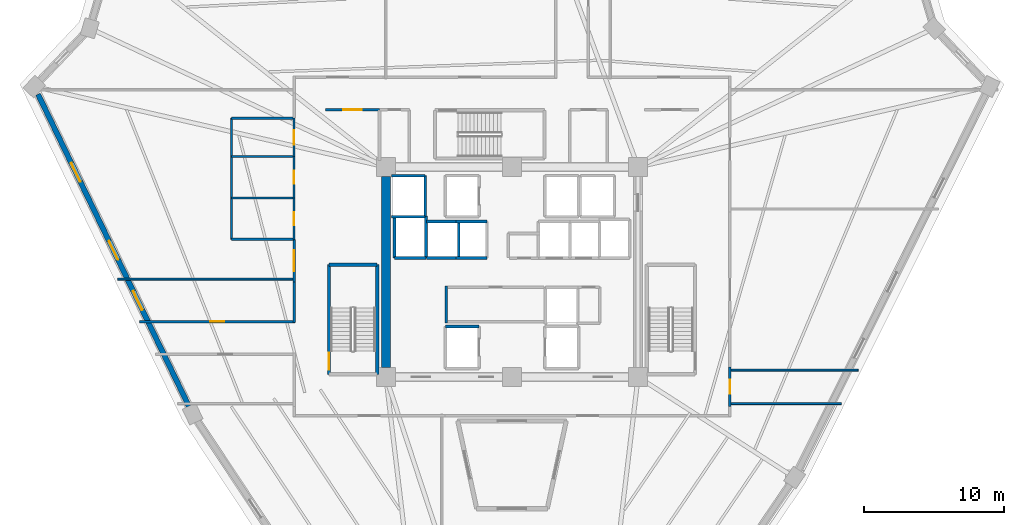
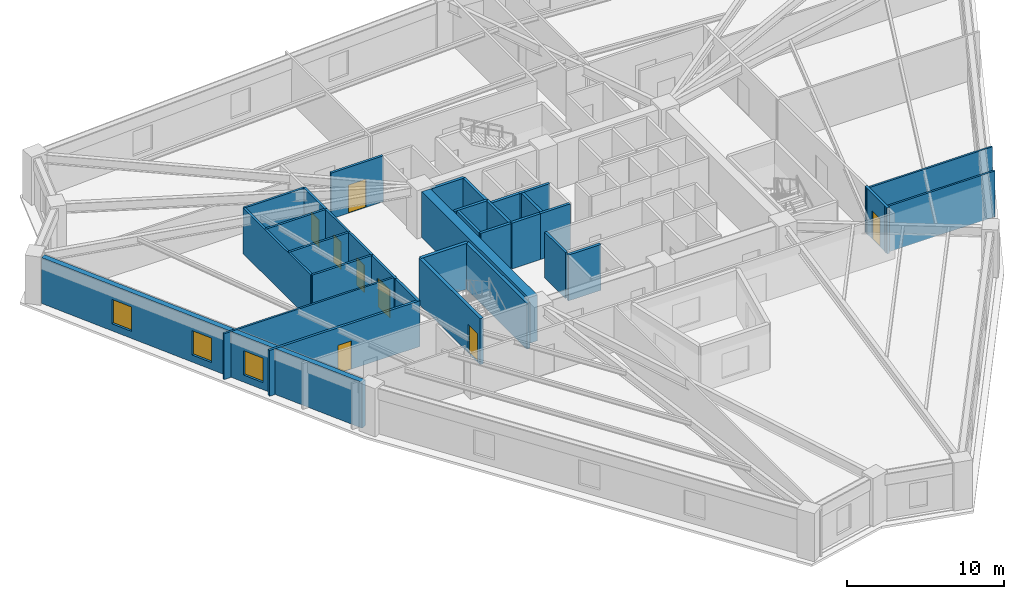
# One storey, part 4 of 10: 34 walls, 8 doors, 3 windows, 11 openings.
"""IFC4 building model written with IfcOpenShell, lengths in metres."""

from ifc_helpers import new_model, si_unit, direction, frame, frame_2d, origin, place, context, subcontext, project, spatial, rectangle, extrude, source, transform, mapped, material, layer, layer_set, type_object, element, fill, save


model = new_model("IFC4")

# Units and contexts
model_context = context("Model", 3, precision=1e-05, world=origin(), true_north=direction((0.0, 1.0)))
body_context = subcontext(model_context, "Body", "Model", "MODEL_VIEW")
ifc_project = project(units=[si_unit("LENGTHUNIT", "METRE"), si_unit("AREAUNIT", "SQUARE_METRE"), si_unit("VOLUMEUNIT", "CUBIC_METRE"), si_unit("PLANEANGLEUNIT", "RADIAN"), si_unit("MASSUNIT", "GRAM", prefix="KILO")], contexts=[model_context])

# Site, building, storey
site_placement = place(None, origin())
site = spatial("IfcSite", under=ifc_project, at=site_placement, CompositionType="ELEMENT")
building_placement = place(site_placement, origin())
building = spatial("IfcBuilding", under=site, at=building_placement, Name="Liaohun Quay Tower", CompositionType="ELEMENT")
storey_placement = place(building_placement, frame((0.0, 0.0, 194.25)))
storey = spatial("IfcBuildingStorey", under=building, at=storey_placement, Name="L50", CompositionType="ELEMENT", Elevation=194.25)

# Wall
ifc_material_1 = material(Name="Concrete C55", Category="concrete")
ifc_layer_1 = layer(ifc_material_1, 0.64990234375, Name="Concrete C55", Category="concrete")
ifc_layer_set_1 = layer_set([ifc_layer_1], Name="Concrete C55")
wall_type_1 = type_object("IfcWallType", Name="WAL-COR-Z3", PredefinedType="SHEAR", material=ifc_layer_set_1)
wall_1_placement = place(storey_placement, frame((51.0, 47.175048828125, 0.0), z_axis=(0.0, 0.0, 1.0), x_axis=(0.0, 1.0, 0.0)))
element("IfcWall", 1, at=wall_1_placement, inside=storey, type_object=wall_type_1, Name="L50 Central Core Shear Wall W", PredefinedType="SHEAR", context=body_context, shape_type="SweptSolid", body=[
    extrude(rectangle(XDim=13.64990234375, YDim=0.64990234375, at=frame_2d((6.824951171875, 0.0))), origin(), (0.0, 0.0, 1.0), 3.570068359375),
])

# Wall, openings, windows
ifc_material_2 = material(Name="Precast concrete C50 insulated sandwich", Category="concrete")
ifc_layer_2 = layer(ifc_material_2, 0.3798828125, Name="Precast concrete C50 insulated sandwich", Category="concrete")
ifc_layer_set_2 = layer_set([ifc_layer_2], Name="Precast concrete C50 insulated sandwich")
wall_type_2 = type_object("IfcWallType", Name="WAL-EXT-Z34", PredefinedType="SOLIDWALL", material=ifc_layer_set_2)
wall_2_placement = place(storey_placement, frame((26.1640625, 66.68701171875, 0.0), z_axis=(0.0, 0.0, 1.0), x_axis=(0.43538652966, -0.900243616912, 0.0)))
wall_2 = element("IfcWall", 2, at=wall_2_placement, inside=storey, type_object=wall_type_2, Name="L50 Brutalist Precast Pier Wall 10", PredefinedType="SOLIDWALL", context=body_context, shape_type="SweptSolid", body=[
    extrude(rectangle(XDim=24.736572265625, YDim=0.3798828125, at=frame_2d((12.3681640625, 0.0))), origin(), (0.0, 0.0, 1.0), 3.570068359375),
])
shared_shape_1 = source(origin(), body_context, "Body", "SweptSolid", [
    extrude(rectangle(XDim=1.5, YDim=1.89990234375, at=frame_2d((0.75, 0.949951171875))), frame((0.0, 0.199951171875, 0.0), z_axis=(0.0, -1.0, 0.0), x_axis=(1.0, 0.0, 0.0)), (0.0, 0.0, 1.0), 0.39990234375),
])
opening_1_placement = place(wall_2_placement, frame((5.43408203125, 0.0, 0.550048828125)))
opening_1 = element("IfcOpeningElement", 3, at=opening_1_placement, cuts=wall_2, Name="Opening W03", PredefinedType="OPENING", context=body_context, shape_type="MappedRepresentation", body=[
    mapped(shared_shape_1, transform((0.0, 0.0, 0.0), x_axis=(1.0, 0.0, 0.0), y_axis=(0.0, 1.0, 0.0), z_axis=(0.0, 0.0, 1.0), scale=1.0)),
])
opening_2_placement = place(wall_2_placement, frame((11.617919921875, 0.0, 0.550048828125)))
opening_2 = element("IfcOpeningElement", 4, at=opening_2_placement, cuts=wall_2, Name="Opening W03", PredefinedType="OPENING", context=body_context, shape_type="MappedRepresentation", body=[
    mapped(shared_shape_1, transform((0.0, 0.0, 0.0), x_axis=(1.0, 0.0, 0.0), y_axis=(0.0, 1.0, 0.0), z_axis=(0.0, 0.0, 1.0), scale=1.0)),
])
opening_3_placement = place(wall_2_placement, frame((15.60205078125, 0.0, 0.550048828125)))
opening_3 = element("IfcOpeningElement", 5, at=opening_3_placement, cuts=wall_2, Name="Opening W03", PredefinedType="OPENING", context=body_context, shape_type="MappedRepresentation", body=[
    mapped(shared_shape_1, transform((0.0, 0.0, 0.0), x_axis=(1.0, 0.0, 0.0), y_axis=(0.0, 1.0, 0.0), z_axis=(0.0, 0.0, 1.0), scale=1.0)),
])
ifc_material_3 = material(Name="Triple Low-E argon glazing in thermally broken aluminium", Category="aluminium")
window_type = type_object("IfcWindowType", Name="WIN-PUN-Z3", PartitioningType="DOUBLE_PANEL_VERTICAL", PredefinedType="WINDOW", material=ifc_material_3)
shared_shape_2 = source(origin(), body_context, "Body", "SweptSolid", [
    extrude(rectangle(XDim=1.5, YDim=1.89990234375, at=frame_2d((0.75, 0.949951171875))), frame((0.0, 0.030029296875, 0.0), z_axis=(0.0, -1.0, 0.0), x_axis=(1.0, 0.0, 0.0)), (0.0, 0.0, 1.0), 0.06005859375),
])
window_1_placement = place(opening_1_placement, origin())
window_1 = element("IfcWindow", 6, at=window_1_placement, inside=storey, type_object=window_type, Name="L50 Recessed Cold-Climate Punched Window 10-1", OverallHeight=1.89990234375, OverallWidth=1.5, PartitioningType="DOUBLE_PANEL_VERTICAL", PredefinedType="WINDOW", context=body_context, shape_type="MappedRepresentation", body=[
    mapped(shared_shape_2, transform((0.0, 0.0, 0.0), x_axis=(1.0, 0.0, 0.0), y_axis=(0.0, 1.0, 0.0), z_axis=(0.0, 0.0, 1.0), scale=1.0)),
])
fill(opening_1, window_1)
window_2_placement = place(opening_2_placement, origin())
window_2 = element("IfcWindow", 7, at=window_2_placement, inside=storey, type_object=window_type, Name="L50 Recessed Cold-Climate Punched Window 10-2", OverallHeight=1.89990234375, OverallWidth=1.5, PartitioningType="DOUBLE_PANEL_VERTICAL", PredefinedType="WINDOW", context=body_context, shape_type="MappedRepresentation", body=[
    mapped(shared_shape_2, transform((0.0, 0.0, 0.0), x_axis=(1.0, 0.0, 0.0), y_axis=(0.0, 1.0, 0.0), z_axis=(0.0, 0.0, 1.0), scale=1.0)),
])
fill(opening_2, window_2)
window_3_placement = place(opening_3_placement, origin())
window_3 = element("IfcWindow", 8, at=window_3_placement, inside=storey, type_object=window_type, Name="L50 Recessed Cold-Climate Punched Window 10-3", OverallHeight=1.89990234375, OverallWidth=1.5, PartitioningType="DOUBLE_PANEL_VERTICAL", PredefinedType="WINDOW", context=body_context, shape_type="MappedRepresentation", body=[
    mapped(shared_shape_2, transform((0.0, 0.0, 0.0), x_axis=(1.0, 0.0, 0.0), y_axis=(0.0, 1.0, 0.0), z_axis=(0.0, 0.0, 1.0), scale=1.0)),
])
fill(opening_3, window_3)

# Wall, opening, door
ifc_material_4 = material(Name="Autoclaved aerated concrete blockwork", Category="masonry")
ifc_layer_3 = layer(ifc_material_4, 0.179931640625, Name="Autoclaved aerated concrete blockwork", Category="masonry")
ifc_layer_set_3 = layer_set([ifc_layer_3], Name="Autoclaved aerated concrete blockwork")
wall_type_3 = type_object("IfcWallType", Name="WAL-PRT-COR", PredefinedType="PARTITIONING", material=ifc_layer_set_3)
wall_3_placement = place(storey_placement, frame((46.699951171875, 65.580078125, 0.0), z_axis=(0.0, 0.0, 1.0), x_axis=(1.0, 0.0, 0.0)))
wall_3 = element("IfcWall", 9, at=wall_3_placement, inside=storey, type_object=wall_type_3, Name="L50 Interior Partition Wall 009", PredefinedType="PARTITIONING", context=body_context, shape_type="SweptSolid", body=[
    extrude(rectangle(XDim=3.840087890625, YDim=0.179931640625, at=frame_2d((1.919921875, 0.0))), origin(), (0.0, 0.0, 1.0), 3.570068359375),
])
shared_shape_3 = source(origin(), body_context, "Body", "SweptSolid", [
    extrude(rectangle(XDim=1.300048828125, YDim=2.199951171875, at=frame_2d((0.64990234375, 1.10009765625))), frame((0.0, 0.099853515625, 0.0), z_axis=(0.0, -1.0, 0.0), x_axis=(1.0, 0.0, 0.0)), (0.0, 0.0, 1.0), 0.199951171875),
])
opening_4_placement = place(wall_3_placement, frame((1.27001953125, 0.0, 0.0)))
opening_4 = element("IfcOpeningElement", 10, at=opening_4_placement, cuts=wall_3, Name="Opening FD1", PredefinedType="OPENING", context=body_context, shape_type="MappedRepresentation", body=[
    mapped(shared_shape_3, transform((0.0, 0.0, 0.0), x_axis=(1.0, 0.0, 0.0), y_axis=(0.0, 1.0, 0.0), z_axis=(0.0, 0.0, 1.0), scale=1.0)),
])
ifc_material_5 = material(Name="Galvanised steel smokeproof fire door", Category="steel")
door_type_1 = type_object("IfcDoorType", Name="DOR-FFL-1300", OperationType="NOTDEFINED", PredefinedType="DOOR", material=ifc_material_5)
shared_shape_4 = source(origin(), body_context, "Body", "SweptSolid", [
    extrude(rectangle(XDim=1.300048828125, YDim=2.199951171875, at=frame_2d((0.64990234375, 1.10009765625))), frame((0.0, 0.02490234375, 0.0), z_axis=(0.0, -1.0, 0.0), x_axis=(1.0, 0.0, 0.0)), (0.0, 0.0, 1.0), 0.050048828125),
])
door_1_placement = place(opening_4_placement, origin())
door_1 = element("IfcDoor", 11, at=door_1_placement, inside=storey, type_object=door_type_1, Name="L50 West Core Vestibule Door", OperationType="SINGLE_SWING_LEFT", OverallHeight=2.199951171875, OverallWidth=1.300048828125, PredefinedType="DOOR", context=body_context, shape_type="MappedRepresentation", body=[
    mapped(shared_shape_4, transform((0.0, 0.0, 0.0), x_axis=(1.0, 0.0, 0.0), y_axis=(0.0, 1.0, 0.0), z_axis=(0.0, 0.0, 1.0), scale=1.0)),
])
fill(opening_4, door_1)

wall_4_placement = place(storey_placement, frame((44.43994140625, 53.284912109375, 0.0), z_axis=(0.0, 0.0, 1.0), x_axis=(0.0, 1.0, 0.0)))
wall_4 = element("IfcWall", 12, at=wall_4_placement, inside=storey, type_object=wall_type_3, Name="L50 Interior Partition Wall 016", PredefinedType="PARTITIONING", context=body_context, shape_type="SweptSolid", body=[
    extrude(rectangle(XDim=3.05517578125, YDim=0.179931640625, at=frame_2d((1.527587890625, 0.0))), origin(), (0.0, 0.0, 1.0), 3.570068359375),
])
shared_shape_5 = source(origin(), body_context, "Body", "SweptSolid", [
    extrude(rectangle(XDim=1.5, YDim=2.199951171875, at=frame_2d((0.75, 1.10009765625))), frame((0.0, 0.099853515625, 0.0), z_axis=(0.0, -1.0, 0.0), x_axis=(1.0, 0.0, 0.0)), (0.0, 0.0, 1.0), 0.199951171875),
])
opening_5_placement = place(wall_4_placement, frame((0.778076171875, 0.0, 0.0)))
opening_5 = element("IfcOpeningElement", 13, at=opening_5_placement, cuts=wall_4, Name="Opening OD2", PredefinedType="OPENING", context=body_context, shape_type="MappedRepresentation", body=[
    mapped(shared_shape_5, transform((0.0, 0.0, 0.0), x_axis=(1.0, 0.0, 0.0), y_axis=(0.0, 1.0, 0.0), z_axis=(0.0, 0.0, 1.0), scale=1.0)),
])
ifc_material_6 = material(Name="Acoustic oak veneer double door")
door_type_2 = type_object("IfcDoorType", Name="DOR-OFF-1500", OperationType="DOUBLE_DOOR_SINGLE_SWING", PredefinedType="DOOR", material=ifc_material_6)
shared_shape_6 = source(origin(), body_context, "Body", "SweptSolid", [
    extrude(rectangle(XDim=1.5, YDim=2.199951171875, at=frame_2d((0.75, 1.10009765625))), frame((0.0, 0.02490234375, 0.0), z_axis=(0.0, -1.0, 0.0), x_axis=(1.0, 0.0, 0.0)), (0.0, 0.0, 1.0), 0.050048828125),
])
door_2_placement = place(opening_5_placement, origin())
door_2 = element("IfcDoor", 14, at=door_2_placement, inside=storey, type_object=door_type_2, Name="L50 Staff Tea Kitchen and Pantry 06 Door", OperationType="DOUBLE_DOOR_SINGLE_SWING", OverallHeight=2.199951171875, OverallWidth=1.5, PredefinedType="DOOR", context=body_context, shape_type="MappedRepresentation", body=[
    mapped(shared_shape_6, transform((0.0, 0.0, 0.0), x_axis=(1.0, 0.0, 0.0), y_axis=(0.0, 1.0, 0.0), z_axis=(0.0, 0.0, 1.0), scale=1.0)),
])
fill(opening_5, door_2)

wall_5_placement = place(storey_placement, frame((33.419921875, 50.4599609375, 0.0), z_axis=(0.0, 0.0, 1.0), x_axis=(1.0, 0.0, 0.0)))
wall_5 = element("IfcWall", 15, at=wall_5_placement, inside=storey, type_object=wall_type_3, Name="L50 Interior Partition Wall 017", PredefinedType="PARTITIONING", context=body_context, shape_type="SweptSolid", body=[
    extrude(rectangle(XDim=11.090087890625, YDim=0.179931640625, at=frame_2d((5.544921875, 0.0))), origin(), (0.0, 0.0, 1.0), 3.570068359375),
])
shared_shape_7 = source(origin(), body_context, "Body", "SweptSolid", [
    extrude(rectangle(XDim=1.0, YDim=2.199951171875, at=frame_2d((0.5, 1.10009765625))), frame((0.0, 0.099853515625, 0.0), z_axis=(0.0, -1.0, 0.0), x_axis=(1.0, 0.0, 0.0)), (0.0, 0.0, 1.0), 0.199951171875),
])
opening_6_placement = place(wall_5_placement, frame((5.044921875, 0.0, 0.0)))
opening_6 = element("IfcOpeningElement", 16, at=opening_6_placement, cuts=wall_5, Name="Opening OD1", PredefinedType="OPENING", context=body_context, shape_type="MappedRepresentation", body=[
    mapped(shared_shape_7, transform((0.0, 0.0, 0.0), x_axis=(1.0, 0.0, 0.0), y_axis=(0.0, 1.0, 0.0), z_axis=(0.0, 0.0, 1.0), scale=1.0)),
])
ifc_material_7 = material(Name="Solid-core oak veneer timber leaf in steel frame", Category="steel")
door_type_3 = type_object("IfcDoorType", Name="DOR-OFF-1000", OperationType="NOTDEFINED", PredefinedType="DOOR", material=ifc_material_7)
shared_shape_8 = source(origin(), body_context, "Body", "SweptSolid", [
    extrude(rectangle(XDim=1.0, YDim=2.199951171875, at=frame_2d((0.5, 1.10009765625))), frame((0.0, 0.02490234375, 0.0), z_axis=(0.0, -1.0, 0.0), x_axis=(1.0, 0.0, 0.0)), (0.0, 0.0, 1.0), 0.050048828125),
])
door_3_placement = place(opening_6_placement, origin())
door_3 = element("IfcDoor", 17, at=door_3_placement, inside=storey, type_object=door_type_3, Name="L50 Staff Daycare Nursery 07 Door", OperationType="SINGLE_SWING_LEFT", OverallHeight=2.199951171875, OverallWidth=1.0, PredefinedType="DOOR", context=body_context, shape_type="MappedRepresentation", body=[
    mapped(shared_shape_8, transform((0.0, 0.0, 0.0), x_axis=(1.0, 0.0, 0.0), y_axis=(0.0, 1.0, 0.0), z_axis=(0.0, 0.0, 1.0), scale=1.0)),
])
fill(opening_6, door_3)

wall_6_placement = place(storey_placement, frame((75.56005859375, 47.215087890625, 0.0), z_axis=(0.0, 0.0, 1.0), x_axis=(0.0, -1.0, 0.0)))
wall_6 = element("IfcWall", 18, at=wall_6_placement, inside=storey, type_object=wall_type_3, Name="L50 Interior Partition Wall 021", PredefinedType="PARTITIONING", context=body_context, shape_type="SweptSolid", body=[
    extrude(rectangle(XDim=2.830078125, YDim=0.179931640625, at=frame_2d((1.4150390625, 0.0))), origin(), (0.0, 0.0, 1.0), 3.570068359375),
])
opening_7_placement = place(wall_6_placement, frame((0.9150390625, 0.0, 0.0)))
opening_7 = element("IfcOpeningElement", 19, at=opening_7_placement, cuts=wall_6, Name="Opening OD1", PredefinedType="OPENING", context=body_context, shape_type="MappedRepresentation", body=[
    mapped(shared_shape_7, transform((0.0, 0.0, 0.0), x_axis=(1.0, 0.0, 0.0), y_axis=(0.0, 1.0, 0.0), z_axis=(0.0, 0.0, 1.0), scale=1.0)),
])
door_4_placement = place(opening_7_placement, origin())
door_4 = element("IfcDoor", 20, at=door_4_placement, inside=storey, type_object=door_type_3, Name="L50 Executive Partner Office 11 Door", OperationType="SINGLE_SWING_LEFT", OverallHeight=2.199951171875, OverallWidth=1.0, PredefinedType="DOOR", context=body_context, shape_type="MappedRepresentation", body=[
    mapped(shared_shape_8, transform((0.0, 0.0, 0.0), x_axis=(1.0, 0.0, 0.0), y_axis=(0.0, 1.0, 0.0), z_axis=(0.0, 0.0, 1.0), scale=1.0)),
])
fill(opening_7, door_4)

# Walls
wall_7_placement = place(storey_placement, frame((44.43994140625, 50.389892578125, 0.0), z_axis=(0.0, 0.0, 1.0), x_axis=(0.0, 1.0, 0.0)))
element("IfcWall", 21, at=wall_7_placement, inside=storey, type_object=wall_type_3, Name="L50 Interior Partition Wall 041", PredefinedType="PARTITIONING", context=body_context, shape_type="SweptSolid", body=[
    extrude(rectangle(XDim=2.89501953125, YDim=0.179931640625, at=frame_2d((1.447509765625, 0.0))), origin(), (0.0, 0.0, 1.0), 3.570068359375),
])
wall_8_placement = place(storey_placement, frame((55.300048828125, 50.360107421875, 0.0), z_axis=(0.0, 0.0, 1.0), x_axis=(0.0, 1.0, 0.0)))
element("IfcWall", 22, at=wall_8_placement, inside=storey, type_object=wall_type_3, Name="L50 Interior Partition Wall 055", PredefinedType="PARTITIONING", context=body_context, shape_type="SweptSolid", body=[
    extrude(rectangle(XDim=2.64990234375, YDim=0.179931640625, at=frame_2d((1.324951171875, 0.0))), origin(), (0.0, 0.0, 1.0), 3.570068359375),
])
ifc_material_8 = material(Name="Gypsum board on twin steel studs", Category="steel")
ifc_layer_4 = layer(ifc_material_8, 0.139892578125, Name="Gypsum board on twin steel studs", Category="steel")
ifc_layer_set_4 = layer_set([ifc_layer_4], Name="Gypsum board on twin steel studs")
wall_type_4 = type_object("IfcWallType", Name="WAL-PRT-OFF", PredefinedType="PARTITIONING", material=ifc_layer_set_4)
wall_9_placement = place(storey_placement, frame((44.5400390625, 53.5, 0.0), z_axis=(0.0, 0.0, 1.0), x_axis=(-1.0, 0.0, 0.0)))
element("IfcWall", 23, at=wall_9_placement, inside=storey, type_object=wall_type_4, Name="L50 Interior Partition Wall 046", PredefinedType="PARTITIONING", context=body_context, shape_type="SweptSolid", body=[
    extrude(rectangle(XDim=12.697998046875, YDim=0.139892578125, at=frame_2d((6.34912109375, 0.0))), origin(), (0.0, 0.0, 1.0), 3.570068359375),
])
wall_10_placement = place(storey_placement, frame((75.4599609375, 44.60009765625, 0.0), z_axis=(0.0, 0.0, 1.0), x_axis=(1.0, 0.0, 0.0)))
element("IfcWall", 24, at=wall_10_placement, inside=storey, type_object=wall_type_4, Name="L50 Interior Partition Wall 048", PredefinedType="PARTITIONING", context=body_context, shape_type="SweptSolid", body=[
    extrude(rectangle(XDim=8.051025390625, YDim=0.139892578125, at=frame_2d((4.025390625, 0.0))), origin(), (0.0, 0.0, 1.0), 3.570068359375),
])
wall_11_placement = place(storey_placement, frame((75.4599609375, 47.0, 0.0), z_axis=(0.0, 0.0, 1.0), x_axis=(1.0, 0.0, 0.0)))
element("IfcWall", 25, at=wall_11_placement, inside=storey, type_object=wall_type_4, Name="L50 Interior Partition Wall 049", PredefinedType="PARTITIONING", context=body_context, shape_type="SweptSolid", body=[
    extrude(rectangle(XDim=9.248046875, YDim=0.139892578125, at=frame_2d((4.6240234375, 0.0))), origin(), (0.0, 0.0, 1.0), 3.570068359375),
])

# Wall, opening, door
ifc_material_9 = material(Name="Moisture-resistant masonry blockwork", Category="masonry")
ifc_layer_5 = layer(ifc_material_9, 0.159912109375, Name="Moisture-resistant masonry blockwork", Category="masonry")
ifc_layer_set_5 = layer_set([ifc_layer_5], Name="Moisture-resistant masonry blockwork")
wall_type_5 = type_object("IfcWallType", Name="WAL-PRT-WET", PredefinedType="PARTITIONING", material=ifc_layer_set_5)
wall_12_placement = place(storey_placement, frame((44.43994140625, 56.340087890625, 0.0), z_axis=(0.0, 0.0, 1.0), x_axis=(0.0, 1.0, 0.0)))
wall_12 = element("IfcWall", 26, at=wall_12_placement, inside=storey, type_object=wall_type_5, Name="L50 Interior Partition Wall 004", PredefinedType="PARTITIONING", context=body_context, shape_type="SweptSolid", body=[
    extrude(rectangle(XDim=2.93994140625, YDim=0.159912109375, at=frame_2d((1.469970703125, 0.0))), origin(), (0.0, 0.0, 1.0), 3.570068359375),
])
shared_shape_9 = source(origin(), body_context, "Body", "SweptSolid", [
    extrude(rectangle(XDim=0.949951171875, YDim=2.14990234375, at=frame_2d((0.47509765625, 1.074951171875))), frame((0.0, 0.08984375, 0.0), z_axis=(0.0, -1.0, 0.0), x_axis=(1.0, 0.0, 0.0)), (0.0, 0.0, 1.0), 0.179931640625),
])
opening_8_placement = place(wall_12_placement, frame((0.9951171875, 0.0, 0.0)))
opening_8 = element("IfcOpeningElement", 27, at=opening_8_placement, cuts=wall_12, Name="Opening WD1", PredefinedType="OPENING", context=body_context, shape_type="MappedRepresentation", body=[
    mapped(shared_shape_9, transform((0.0, 0.0, 0.0), x_axis=(1.0, 0.0, 0.0), y_axis=(0.0, 1.0, 0.0), z_axis=(0.0, 0.0, 1.0), scale=1.0)),
])
ifc_material_10 = material(Name="Moisture-resistant laminate timber leaf", Category="wood")
door_type_4 = type_object("IfcDoorType", Name="DOR-WC-950", OperationType="NOTDEFINED", PredefinedType="DOOR", material=ifc_material_10)
shared_shape_10 = source(origin(), body_context, "Body", "SweptSolid", [
    extrude(rectangle(XDim=0.949951171875, YDim=2.14990234375, at=frame_2d((0.47509765625, 1.074951171875))), frame((0.0, 0.02490234375, 0.0), z_axis=(0.0, -1.0, 0.0), x_axis=(1.0, 0.0, 0.0)), (0.0, 0.0, 1.0), 0.050048828125),
])
door_5_placement = place(opening_8_placement, origin())
door_5 = element("IfcDoor", 28, at=door_5_placement, inside=storey, type_object=door_type_4, Name="L50 Male Restroom WC Door", OperationType="SINGLE_SWING_RIGHT", OverallHeight=2.14990234375, OverallWidth=0.949951171875, PredefinedType="DOOR", context=body_context, shape_type="MappedRepresentation", body=[
    mapped(shared_shape_10, transform((0.0, 0.0, 0.0), x_axis=(1.0, 0.0, 0.0), y_axis=(0.0, 1.0, 0.0), z_axis=(0.0, 0.0, 1.0), scale=1.0)),
])
fill(opening_8, door_5)

wall_13_placement = place(storey_placement, frame((44.43994140625, 59.280029296875, 0.0), z_axis=(0.0, 0.0, 1.0), x_axis=(0.0, 1.0, 0.0)))
wall_13 = element("IfcWall", 29, at=wall_13_placement, inside=storey, type_object=wall_type_5, Name="L50 Interior Partition Wall 005", PredefinedType="PARTITIONING", context=body_context, shape_type="SweptSolid", body=[
    extrude(rectangle(XDim=2.9599609375, YDim=0.159912109375, at=frame_2d((1.47998046875, 0.0))), origin(), (0.0, 0.0, 1.0), 3.570068359375),
])
opening_9_placement = place(wall_13_placement, frame((1.0048828125, 0.0, 0.0)))
opening_9 = element("IfcOpeningElement", 30, at=opening_9_placement, cuts=wall_13, Name="Opening WD1", PredefinedType="OPENING", context=body_context, shape_type="MappedRepresentation", body=[
    mapped(shared_shape_9, transform((0.0, 0.0, 0.0), x_axis=(1.0, 0.0, 0.0), y_axis=(0.0, 1.0, 0.0), z_axis=(0.0, 0.0, 1.0), scale=1.0)),
])
door_6_placement = place(opening_9_placement, origin())
door_6 = element("IfcDoor", 31, at=door_6_placement, inside=storey, type_object=door_type_4, Name="L50 Female Restroom WC Door", OperationType="SINGLE_SWING_LEFT", OverallHeight=2.14990234375, OverallWidth=0.949951171875, PredefinedType="DOOR", context=body_context, shape_type="MappedRepresentation", body=[
    mapped(shared_shape_10, transform((0.0, 0.0, 0.0), x_axis=(1.0, 0.0, 0.0), y_axis=(0.0, 1.0, 0.0), z_axis=(0.0, 0.0, 1.0), scale=1.0)),
])
fill(opening_9, door_6)

wall_14_placement = place(storey_placement, frame((44.43994140625, 62.239990234375, 0.0), z_axis=(0.0, 0.0, 1.0), x_axis=(0.0, 1.0, 0.0)))
wall_14 = element("IfcWall", 32, at=wall_14_placement, inside=storey, type_object=wall_type_5, Name="L50 Interior Partition Wall 006", PredefinedType="PARTITIONING", context=body_context, shape_type="SweptSolid", body=[
    extrude(rectangle(XDim=2.739990234375, YDim=0.159912109375, at=frame_2d((1.3701171875, 0.0))), origin(), (0.0, 0.0, 1.0), 3.570068359375),
])
shared_shape_11 = source(origin(), body_context, "Body", "SweptSolid", [
    extrude(rectangle(XDim=1.050048828125, YDim=2.14990234375, at=frame_2d((0.52490234375, 1.074951171875))), frame((0.0, 0.08984375, 0.0), z_axis=(0.0, -1.0, 0.0), x_axis=(1.0, 0.0, 0.0)), (0.0, 0.0, 1.0), 0.179931640625),
])
opening_10_placement = place(wall_14_placement, frame((0.844970703125, 0.0, 0.0)))
opening_10 = element("IfcOpeningElement", 33, at=opening_10_placement, cuts=wall_14, Name="Opening WD2", PredefinedType="OPENING", context=body_context, shape_type="MappedRepresentation", body=[
    mapped(shared_shape_11, transform((0.0, 0.0, 0.0), x_axis=(1.0, 0.0, 0.0), y_axis=(0.0, 1.0, 0.0), z_axis=(0.0, 0.0, 1.0), scale=1.0)),
])
ifc_material_11 = material(Name="Accessible outward-swinging laminate door")
door_type_5 = type_object("IfcDoorType", Name="DOR-AWC-1050", OperationType="NOTDEFINED", PredefinedType="DOOR", material=ifc_material_11)
shared_shape_12 = source(origin(), body_context, "Body", "SweptSolid", [
    extrude(rectangle(XDim=1.050048828125, YDim=2.14990234375, at=frame_2d((0.52490234375, 1.074951171875))), frame((0.0, 0.02490234375, 0.0), z_axis=(0.0, -1.0, 0.0), x_axis=(1.0, 0.0, 0.0)), (0.0, 0.0, 1.0), 0.050048828125),
])
door_7_placement = place(opening_10_placement, origin())
door_7 = element("IfcDoor", 34, at=door_7_placement, inside=storey, type_object=door_type_5, Name="L50 Accessible WC Door", OperationType="SINGLE_SWING_RIGHT", OverallHeight=2.14990234375, OverallWidth=1.050048828125, PredefinedType="DOOR", context=body_context, shape_type="MappedRepresentation", body=[
    mapped(shared_shape_12, transform((0.0, 0.0, 0.0), x_axis=(1.0, 0.0, 0.0), y_axis=(0.0, 1.0, 0.0), z_axis=(0.0, 0.0, 1.0), scale=1.0)),
])
fill(opening_10, door_7)

# Walls
wall_15_placement = place(storey_placement, frame((39.97998046875, 56.340087890625, 0.0), z_axis=(0.0, 0.0, 1.0), x_axis=(0.0, 1.0, 0.0)))
element("IfcWall", 35, at=wall_15_placement, inside=storey, type_object=wall_type_5, Name="L50 Interior Partition Wall 027", PredefinedType="PARTITIONING", context=body_context, shape_type="SweptSolid", body=[
    extrude(rectangle(XDim=8.639892578125, YDim=0.159912109375, at=frame_2d((4.31982421875, 0.0))), origin(), (0.0, 0.0, 1.0), 3.570068359375),
])
for number, where, z_axis, x_axis, name in (
    (36, (39.97998046875, 56.340087890625, 0.0), (0.0, 0.0, 1.0), (1.0, 0.0, 0.0), "L50 Interior Partition Wall 028"),
    (37, (39.97998046875, 59.280029296875, 0.0), (0.0, 0.0, 1.0), (1.0, 0.0, 0.0), "L50 Interior Partition Wall 029"),
    (38, (39.97998046875, 62.239990234375, 0.0), (0.0, 0.0, 1.0), (1.0, 0.0, 0.0), "L50 Interior Partition Wall 030"),
    (39, (39.97998046875, 64.97998046875, 0.0), (0.0, 0.0, 1.0), (1.0, 0.0, 0.0), "L50 Interior Partition Wall 031"),
):
    element("IfcWall", number, at=place(storey_placement, frame(where, z_axis=z_axis, x_axis=x_axis)), inside=storey, type_object=wall_type_5, Name=name, PredefinedType="PARTITIONING", context=body_context, shape_type="SweptSolid", body=[
        extrude(rectangle(XDim=4.4599609375, YDim=0.159912109375, at=frame_2d((2.22998046875, 0.0))), origin(), (0.0, 0.0, 1.0), 3.570068359375),
    ])
ifc_material_12 = material(Name="Concrete C50", Category="concrete")
ifc_layer_6 = layer(ifc_material_12, 0.239990234375, Name="Concrete C50", Category="concrete")
ifc_layer_set_6 = layer_set([ifc_layer_6], Name="Concrete C50")
wall_type_6 = type_object("IfcWallType", Name="WAL-SHF-200", PredefinedType="SOLIDWALL", material=ifc_layer_set_6)
wall_16_placement = place(storey_placement, frame((50.3798828125, 46.699951171875, 0.0), z_axis=(0.0, 0.0, 1.0), x_axis=(0.0, 1.0, 0.0)))
element("IfcWall", 40, at=wall_16_placement, inside=storey, type_object=wall_type_6, Name="L50 Stairwell ST-1 Structural Core Wall E", PredefinedType="SOLIDWALL", context=body_context, shape_type="SweptSolid", body=[
    extrude(rectangle(XDim=7.820068359375, YDim=0.239990234375, at=frame_2d((3.91015625, 0.0))), origin(), (0.0, 0.0, 1.0), 3.570068359375),
])
wall_17_placement = place(storey_placement, frame((50.3798828125, 54.52001953125, 0.0), z_axis=(0.0, 0.0, 1.0), x_axis=(-1.0, 0.0, 0.0)))
element("IfcWall", 41, at=wall_17_placement, inside=storey, type_object=wall_type_6, Name="L50 Stairwell ST-1 Structural Core Wall N", PredefinedType="SOLIDWALL", context=body_context, shape_type="SweptSolid", body=[
    extrude(rectangle(XDim=3.43994140625, YDim=0.239990234375, at=frame_2d((1.719970703125, 0.0))), origin(), (0.0, 0.0, 1.0), 3.570068359375),
])

# Wall, opening, door
wall_18_placement = place(storey_placement, frame((46.93994140625, 54.52001953125, 0.0), z_axis=(0.0, 0.0, 1.0), x_axis=(0.0, -1.0, 0.0)))
wall_18 = element("IfcWall", 42, at=wall_18_placement, inside=storey, type_object=wall_type_6, Name="L50 Stairwell ST-1 Structural Core Wall W", PredefinedType="SOLIDWALL", context=body_context, shape_type="SweptSolid", body=[
    extrude(rectangle(XDim=7.820068359375, YDim=0.239990234375, at=frame_2d((3.91015625, 0.0))), origin(), (0.0, 0.0, 1.0), 3.570068359375),
])
shared_shape_13 = source(origin(), body_context, "Body", "SweptSolid", [
    extrude(rectangle(XDim=1.199951171875, YDim=2.199951171875, at=frame_2d((0.60009765625, 1.10009765625))), frame((0.0, 0.1298828125, 0.0), z_axis=(0.0, -1.0, 0.0), x_axis=(1.0, 0.0, 0.0)), (0.0, 0.0, 1.0), 0.260009765625),
])
opening_11_placement = place(wall_18_placement, frame((6.300048828125, 0.0, 0.0)))
opening_11 = element("IfcOpeningElement", 43, at=opening_11_placement, cuts=wall_18, Name="Opening SD1", PredefinedType="OPENING", context=body_context, shape_type="MappedRepresentation", body=[
    mapped(shared_shape_13, transform((0.0, 0.0, 0.0), x_axis=(1.0, 0.0, 0.0), y_axis=(0.0, 1.0, 0.0), z_axis=(0.0, 0.0, 1.0), scale=1.0)),
])
ifc_material_13 = material(Name="Galvanised steel fire door", Category="steel")
door_type_6 = type_object("IfcDoorType", Name="DOR-STR-1200", OperationType="NOTDEFINED", PredefinedType="DOOR", material=ifc_material_13)
shared_shape_14 = source(origin(), body_context, "Body", "SweptSolid", [
    extrude(rectangle(XDim=1.199951171875, YDim=2.199951171875, at=frame_2d((0.60009765625, 1.10009765625))), frame((0.0, 0.02490234375, 0.0), z_axis=(0.0, -1.0, 0.0), x_axis=(1.0, 0.0, 0.0)), (0.0, 0.0, 1.0), 0.050048828125),
])
door_8_placement = place(opening_11_placement, origin())
door_8 = element("IfcDoor", 44, at=door_8_placement, inside=storey, type_object=door_type_6, Name="L50 Protected Stair ST-1 Fire Door", OperationType="SINGLE_SWING_LEFT", OverallHeight=2.199951171875, OverallWidth=1.199951171875, PredefinedType="DOOR", context=body_context, shape_type="MappedRepresentation", body=[
    mapped(shared_shape_14, transform((0.0, 0.0, 0.0), x_axis=(1.0, 0.0, 0.0), y_axis=(0.0, 1.0, 0.0), z_axis=(0.0, 0.0, 1.0), scale=1.0)),
])
fill(opening_11, door_8)

# Walls
wall_19_placement = place(storey_placement, frame((57.64990234375, 50.1201171875, 0.0), z_axis=(0.0, 0.0, 1.0), x_axis=(-1.0, 0.0, 0.0)))
element("IfcWall", 45, at=wall_19_placement, inside=storey, type_object=wall_type_6, Name="L50 Lift FF-01 Hoistway Wall N", PredefinedType="SOLIDWALL", context=body_context, shape_type="SweptSolid", body=[
    extrude(rectangle(XDim=2.39990234375, YDim=0.199951171875, at=frame_2d((1.199951171875, 0.0))), origin(), (0.0, 0.0, 1.0), 3.570068359375),
])
wall_20_placement = place(storey_placement, frame((51.39990234375, 57.949951171875, 0.0), z_axis=(0.0, 0.0, 1.0), x_axis=(1.0, 0.0, 0.0)))
element("IfcWall", 46, at=wall_20_placement, inside=storey, type_object=wall_type_6, Name="L50 Lift SH-01 Hoistway Wall S", PredefinedType="SOLIDWALL", context=body_context, shape_type="SweptSolid", body=[
    extrude(rectangle(XDim=2.400146484375, YDim=0.199951171875, at=frame_2d((1.2001953125, 0.0))), origin(), (0.0, 0.0, 1.0), 3.570068359375),
])
wall_21_placement = place(storey_placement, frame((53.800048828125, 57.949951171875, 0.0), z_axis=(0.0, 0.0, 1.0), x_axis=(0.0, 1.0, 0.0)))
element("IfcWall", 47, at=wall_21_placement, inside=storey, type_object=wall_type_6, Name="L50 Lift SH-01 Hoistway Wall E", PredefinedType="SOLIDWALL", context=body_context, shape_type="SweptSolid", body=[
    extrude(rectangle(XDim=2.929931640625, YDim=0.199951171875, at=frame_2d((1.46484375, 0.0))), origin(), (0.0, 0.0, 1.0), 3.570068359375),
])
wall_22_placement = place(storey_placement, frame((53.800048828125, 60.8798828125, 0.0), z_axis=(0.0, 0.0, 1.0), x_axis=(-1.0, 0.0, 0.0)))
element("IfcWall", 48, at=wall_22_placement, inside=storey, type_object=wall_type_6, Name="L50 Lift SH-01 Hoistway Wall N", PredefinedType="SOLIDWALL", context=body_context, shape_type="SweptSolid", body=[
    extrude(rectangle(XDim=2.400146484375, YDim=0.199951171875, at=frame_2d((1.2001953125, 0.0))), origin(), (0.0, 0.0, 1.0), 3.570068359375),
])
wall_23_placement = place(storey_placement, frame((51.6201171875, 55.0, 0.0), z_axis=(0.0, 0.0, 1.0), x_axis=(1.0, 0.0, 0.0)))
element("IfcWall", 49, at=wall_23_placement, inside=storey, type_object=wall_type_6, Name="L50 Lift SH-02 Hoistway Wall S", PredefinedType="SOLIDWALL", context=body_context, shape_type="SweptSolid", body=[
    extrude(rectangle(XDim=2.22998046875, YDim=0.199951171875, at=frame_2d((1.114990234375, 0.0))), origin(), (0.0, 0.0, 1.0), 3.570068359375),
])
for number, where, z_axis, x_axis, name in (
    (50, (53.85009765625, 55.0, 0.0), (0.0, 0.0, 1.0), (0.0, 1.0, 0.0), "L50 Lift SH-02 Hoistway Wall E"),
    (51, (51.6201171875, 58.0, 0.0), (0.0, 0.0, 1.0), (0.0, -1.0, 0.0), "L50 Lift SH-02 Hoistway Wall W"),
):
    element("IfcWall", number, at=place(storey_placement, frame(where, z_axis=z_axis, x_axis=x_axis)), inside=storey, type_object=wall_type_6, Name=name, PredefinedType="SOLIDWALL", context=body_context, shape_type="SweptSolid", body=[
        extrude(rectangle(XDim=3.0, YDim=0.199951171875, at=frame_2d((1.5, 0.0))), origin(), (0.0, 0.0, 1.0), 3.570068359375),
    ])
wall_24_placement = place(storey_placement, frame((53.89990234375, 55.0, 0.0), z_axis=(0.0, 0.0, 1.0), x_axis=(1.0, 0.0, 0.0)))
element("IfcWall", 52, at=wall_24_placement, inside=storey, type_object=wall_type_6, Name="L50 Lift PL-2B Hoistway Wall S", PredefinedType="SOLIDWALL", context=body_context, shape_type="SweptSolid", body=[
    extrude(rectangle(XDim=2.300048828125, YDim=0.199951171875, at=frame_2d((1.14990234375, 0.0))), origin(), (0.0, 0.0, 1.0), 3.570068359375),
])
wall_25_placement = place(storey_placement, frame((56.199951171875, 55.0, 0.0), z_axis=(0.0, 0.0, 1.0), x_axis=(0.0, 1.0, 0.0)))
element("IfcWall", 53, at=wall_25_placement, inside=storey, type_object=wall_type_6, Name="L50 Lift PL-2B Hoistway Wall E", PredefinedType="SOLIDWALL", context=body_context, shape_type="SweptSolid", body=[
    extrude(rectangle(XDim=2.60009765625, YDim=0.199951171875, at=frame_2d((1.300048828125, 0.0))), origin(), (0.0, 0.0, 1.0), 3.570068359375),
])
wall_26_placement = place(storey_placement, frame((56.199951171875, 57.60009765625, 0.0), z_axis=(0.0, 0.0, 1.0), x_axis=(-1.0, 0.0, 0.0)))
element("IfcWall", 54, at=wall_26_placement, inside=storey, type_object=wall_type_6, Name="L50 Lift PL-2B Hoistway Wall N", PredefinedType="SOLIDWALL", context=body_context, shape_type="SweptSolid", body=[
    extrude(rectangle(XDim=2.300048828125, YDim=0.199951171875, at=frame_2d((1.14990234375, 0.0))), origin(), (0.0, 0.0, 1.0), 3.570068359375),
])
for number, where, z_axis, x_axis, name in (
    (55, (56.0, 55.0, 0.0), (0.0, 0.0, 1.0), (1.0, 0.0, 0.0), "L50 Lift PL-2C Hoistway Wall S"),
    (56, (58.199951171875, 57.60009765625, 0.0), (0.0, 0.0, 1.0), (-1.0, 0.0, 0.0), "L50 Lift PL-2C Hoistway Wall N"),
):
    element("IfcWall", number, at=place(storey_placement, frame(where, z_axis=z_axis, x_axis=x_axis)), inside=storey, type_object=wall_type_6, Name=name, PredefinedType="SOLIDWALL", context=body_context, shape_type="SweptSolid", body=[
        extrude(rectangle(XDim=2.199951171875, YDim=0.199951171875, at=frame_2d((1.10009765625, 0.0))), origin(), (0.0, 0.0, 1.0), 3.570068359375),
    ])

save(model, "model.ifc")
